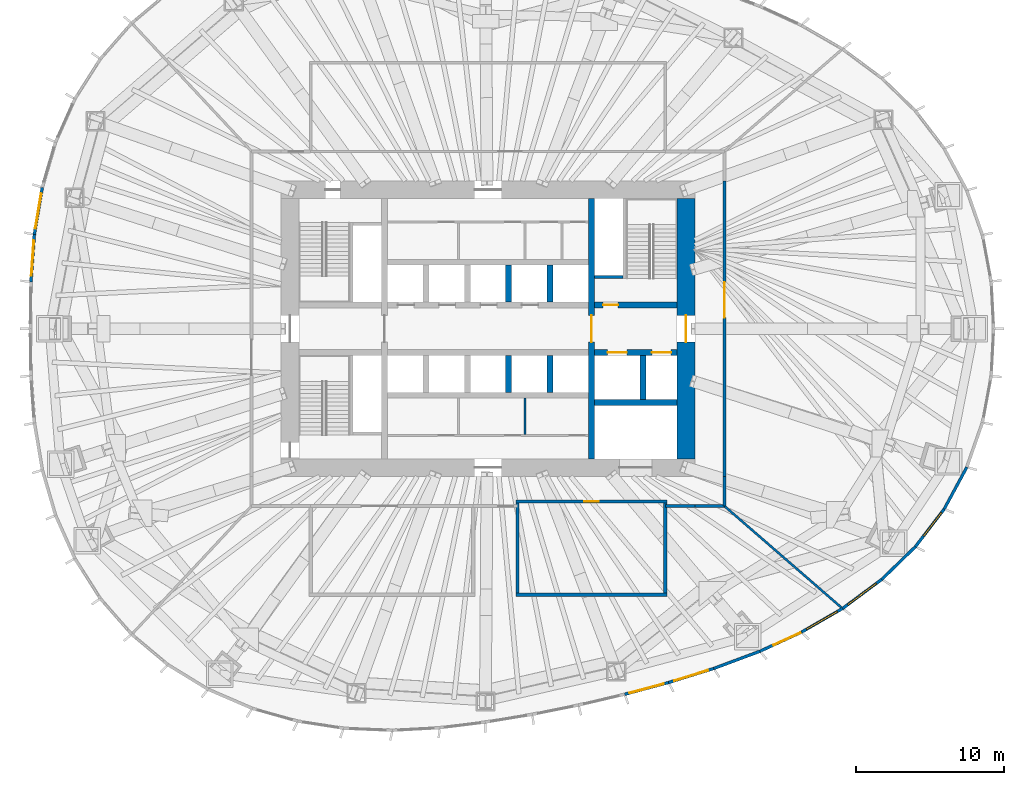
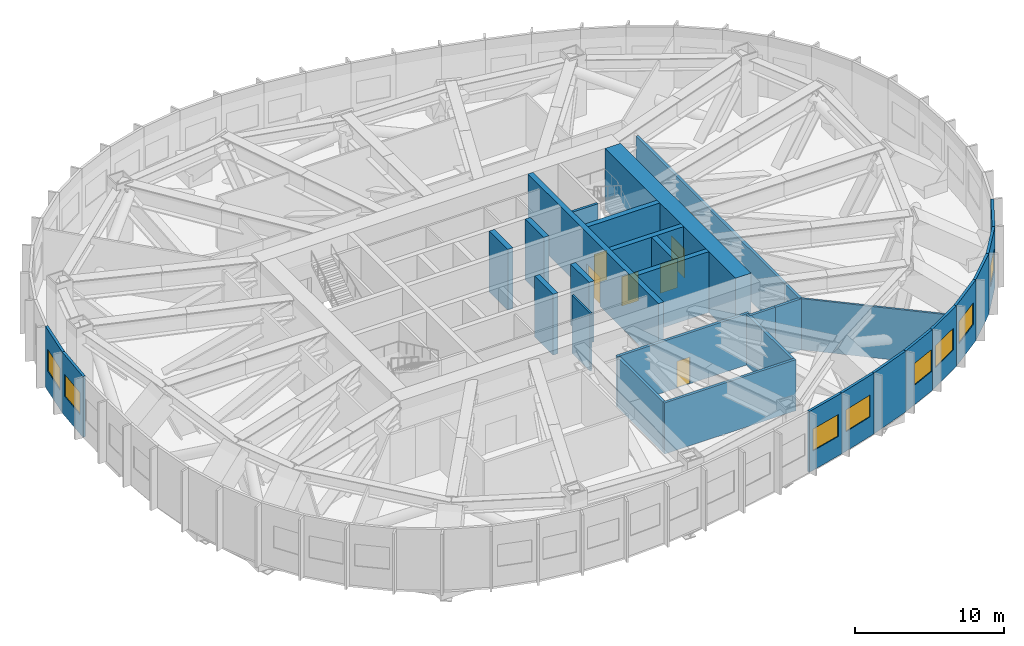
# One storey, part 8 of 12: 32 walls, 8 windows, 7 doors, 15 openings.
"""IFC4 building model written with IfcOpenShell, lengths in metres."""

import ifcopenshell
import ifcopenshell.guid

model = None  # the IFC model being written
_history = None  # IfcOwnerHistory: only IFC2X3 demands one
_inside = {}  # id of a spatial element -> (the spatial element, [elements in it])
_under = {}  # id of a project, library or spatial element -> (it, [spatial elements below it])
_declared = {}  # id of a project -> (the project, [libraries it declares])
_typed = {}  # id of a type object -> (the type object, [elements of that type])
_made_of = {}  # id of a material, layer set ... -> (it, [elements and type objects made of it])


def new_model(schema):
    """Start an empty IFC model of exactly this schema.

    Asked for "IFC4X3", IfcOpenShell would pick the latest addendum, in which some entities
    have other attributes; the version numbers below select the first issue.
    IFC2X3 requires an IfcOwnerHistory on every rooted entity: one is made here for all.
    """
    global model, _history
    if schema == "IFC4X3":
        model = ifcopenshell.file(schema_version=(4, 3, 0, 0))
    else:
        model = ifcopenshell.file(schema=schema)
    _inside.clear()
    _under.clear()
    _declared.clear()
    _typed.clear()
    _made_of.clear()
    _history = None
    if model.schema == "IFC2X3":
        org = make("IfcOrganization", Name="unknown")
        user = make(
            "IfcPersonAndOrganization",
            ThePerson=make("IfcPerson", FamilyName="unknown"),
            TheOrganization=org,
        )
        app = make(
            "IfcApplication",
            ApplicationDeveloper=org,
            Version="unknown",
            ApplicationFullName="unknown",
            ApplicationIdentifier="unknown",
        )
        _history = make(
            "IfcOwnerHistory",
            OwningUser=user,
            OwningApplication=app,
            ChangeAction="ADDED",
            CreationDate=0,
        )
    return model


def make(cls, **values):
    """One entity of the class cls with the attributes given. An attribute that is None is left unset."""
    return model.create_entity(
        cls, **{name: value for name, value in values.items() if value is not None}
    )


def rooted(cls, **values):
    """An entity with a GlobalId (a new one), such as an element, a storey or a relation."""
    return make(cls, GlobalId=ifcopenshell.guid.new(), OwnerHistory=_history, **values)


def si_unit(unit_type, name, prefix=None):
    """IfcSIUnit, for example si_unit("LENGTHUNIT", "METRE", prefix="MILLI")."""
    return make("IfcSIUnit", UnitType=unit_type, Prefix=prefix, Name=name)


def assignment(units):
    """IfcUnitAssignment: the units of a project."""
    return None if units is None else make("IfcUnitAssignment", Units=units)


def point(xyz):
    """IfcCartesianPoint."""
    return None if xyz is None else make("IfcCartesianPoint", Coordinates=xyz)


def direction(xyz):
    """IfcDirection."""
    return None if xyz is None else make("IfcDirection", DirectionRatios=xyz)


def frame(location, z_axis=None, x_axis=None):
    """IfcAxis2Placement3D, a coordinate frame: its origin and axes. An axis left out is left unset."""
    return make(
        "IfcAxis2Placement3D",
        Location=point(location),
        Axis=direction(z_axis),
        RefDirection=direction(x_axis),
    )


def frame_2d(location, x_axis=None):
    """IfcAxis2Placement2D, a coordinate frame in the plane: its origin and x axis."""
    return make(
        "IfcAxis2Placement2D", Location=point(location), RefDirection=direction(x_axis)
    )


def origin():
    """The frame at (0, 0, 0) with its axes left unset."""
    return frame((0.0, 0.0, 0.0))


def place(relative_to, where):
    """IfcLocalPlacement: puts the frame where relative to a parent placement (None: the world)."""
    return make(
        "IfcLocalPlacement", PlacementRelTo=relative_to, RelativePlacement=where
    )


def context(
    kind, dimensions, precision=None, world=None, true_north=None, identifier=None
):
    """IfcGeometricRepresentationContext, for example the 3D "Model" context."""
    return make(
        "IfcGeometricRepresentationContext",
        ContextIdentifier=identifier,
        ContextType=kind,
        CoordinateSpaceDimension=dimensions,
        Precision=precision,
        WorldCoordinateSystem=world,
        TrueNorth=true_north,
    )


def subcontext(parent, identifier, kind, view, scale=None):
    """IfcGeometricRepresentationSubContext, for example "Body" below "Model"."""
    return make(
        "IfcGeometricRepresentationSubContext",
        ContextIdentifier=identifier,
        ContextType=kind,
        ParentContext=parent,
        TargetScale=scale,
        TargetView=view,
    )


def project(units=None, contexts=None):
    """IfcProject with its units and contexts."""
    return rooted(
        "IfcProject",
        Name="project",
        RepresentationContexts=contexts,
        UnitsInContext=assignment(units),
    )


def spatial(cls, under=None, at=None, **own):
    """A site, building, storey or space (cls), placed at a placement, below another one or the project."""
    s = rooted(cls, ObjectPlacement=at, **own)
    if under is not None:
        _under.setdefault(under.id(), (under, []))[1].append(s)
    return s


def profile(cls, at=None, kind="AREA", **sizes):
    """A parametric profile (cls). Its sizes go by their IFC names, for example OverallWidth=200.0."""
    return make(cls, ProfileType=kind, Position=at, **sizes)


def rectangle(**sizes):
    """IfcRectangleProfileDef."""
    return profile("IfcRectangleProfileDef", **sizes)


def extrude(swept, where, along, depth):
    """IfcExtrudedAreaSolid: the profile swept, set in the frame where, extruded along a direction by depth."""
    return make(
        "IfcExtrudedAreaSolid",
        SweptArea=swept,
        Position=where,
        ExtrudedDirection=direction(along),
        Depth=depth,
    )


def shape(context_of_items, identifier, shape_type, items):
    """IfcShapeRepresentation: the items that make up one representation, for example the "Body"."""
    return make(
        "IfcShapeRepresentation",
        ContextOfItems=context_of_items,
        RepresentationIdentifier=identifier,
        RepresentationType=shape_type,
        Items=items,
    )


def material(Name=None, Category=None):
    """IfcMaterial."""
    return make("IfcMaterial", Name=Name, Category=Category)


def layer(
    of_material, thickness, ventilated=None, Name=None, Category=None, Priority=None
):
    """IfcMaterialLayer: one layer of a wall or slab, of a material (None: an air gap)."""
    return make(
        "IfcMaterialLayer",
        Material=of_material,
        LayerThickness=thickness,
        IsVentilated=ventilated,
        Name=Name,
        Category=Category,
        Priority=Priority,
    )


def layer_set(layers, Name=None):
    """IfcMaterialLayerSet."""
    return make("IfcMaterialLayerSet", MaterialLayers=layers, LayerSetName=Name)


def made_of(thing, what):
    """Note that an element or type object is made of a material, layer set ...; save() writes the relation."""
    if what is not None:
        _made_of.setdefault(what.id(), (what, []))[1].append(thing)
    return thing


def type_object(cls, material=None, **own):
    """A type object (cls), such as IfcWallType, which elements share."""
    return made_of(rooted(cls, **own), material)


def element(
    cls,
    number,
    at=None,
    inside=None,
    cuts=None,
    type_object=None,
    material=None,
    context=None,
    identifier="Body",
    shape_type=None,
    held_by="IfcProductDefinitionShape",
    body=None,
    shapes=None,
    **own,
):
    """One element of the class cls, such as IfcWall. Its Tag is "e" and its number.

    at: its placement. inside: the storey or other place that contains it. cuts: it is an
    opening in that element (IfcRelVoidsElement). A single representation is given by context,
    identifier, shape_type and body (its items); several are given by shapes. held_by: the class
    of the entity that holds the representations. save() writes the other relations.
    """
    e = rooted(cls, Tag="e%d" % number, ObjectPlacement=at, **own)
    if body is not None:
        shapes = [shape(context, identifier, shape_type, body)]
    if shapes is not None:
        e.Representation = make(held_by, Representations=shapes)
    if inside is not None:
        _inside.setdefault(inside.id(), (inside, []))[1].append(e)
    if cuts is not None:
        rooted(
            "IfcRelVoidsElement", RelatingBuildingElement=cuts, RelatedOpeningElement=e
        )
    if type_object is not None:
        _typed.setdefault(type_object.id(), (type_object, []))[1].append(e)
    return made_of(e, material)


def fill(opening, filler):
    """IfcRelFillsElement: the door or window that sits in an opening."""
    return rooted(
        "IfcRelFillsElement",
        RelatingOpeningElement=opening,
        RelatedBuildingElement=filler,
    )


def aggregate(whole, parts):
    """IfcRelAggregates: a whole, such as a stair, and the parts it consists of."""
    return rooted("IfcRelAggregates", RelatingObject=whole, RelatedObjects=parts)


def save(model, path):
    """Write the relations noted so far, then the file.

    IfcRelAggregates (storeys below a building ...), IfcRelContainedInSpatialStructure (elements
    in a storey), IfcRelDefinesByType, IfcRelAssociatesMaterial and IfcRelDeclares: one each for
    every whole, place, type object, material and project.
    """
    for whole, parts in _under.values():
        aggregate(whole, parts)
    for where, things in _inside.values():
        rooted(
            "IfcRelContainedInSpatialStructure",
            RelatedElements=things,
            RelatingStructure=where,
        )
    for kind, things in _typed.values():
        rooted("IfcRelDefinesByType", RelatedObjects=things, RelatingType=kind)
    for what, things in _made_of.values():
        rooted("IfcRelAssociatesMaterial", RelatedObjects=things, RelatingMaterial=what)
    for by, libraries in _declared.values():
        rooted("IfcRelDeclares", RelatingContext=by, RelatedDefinitions=libraries)
    model.write(path)


model = new_model("IFC4")

# Units and contexts
model_context = context("Model", 3, precision=1e-05, world=origin(), true_north=direction((0.0, 1.0)))
body_context = subcontext(model_context, "Body", "Model", "MODEL_VIEW")
ifc_project = project(units=[si_unit("LENGTHUNIT", "METRE"), si_unit("AREAUNIT", "SQUARE_METRE"), si_unit("VOLUMEUNIT", "CUBIC_METRE"), si_unit("PLANEANGLEUNIT", "RADIAN"), si_unit("MASSUNIT", "GRAM", prefix="KILO")], contexts=[model_context])

# Site, building, storey
site_placement = place(None, origin())
site = spatial("IfcSite", under=ifc_project, at=site_placement, CompositionType="ELEMENT")
building_placement = place(site_placement, origin())
building = spatial("IfcBuilding", under=site, at=building_placement, Name="Ghaith Harvest Tower", CompositionType="ELEMENT")
storey_placement = place(building_placement, frame((0.0, 0.0, 100.0)))
storey = spatial("IfcBuildingStorey", under=building, at=storey_placement, Name="L20", CompositionType="ELEMENT", Elevation=100.0)

# Wall
ifc_material_1 = material(Name="Concrete blockwork, 1-hour", Category="masonry")
ifc_layer_1 = layer(ifc_material_1, 0.215087890625)
ifc_layer_set_1 = layer_set([ifc_layer_1], Name="BLOCKWORK WALL 215")
wall_type_1 = type_object("IfcWallType", Name="BLOCKWORK WALL 215", PredefinedType="PARTITIONING", material=ifc_layer_set_1)
wall_1_placement = place(storey_placement, frame((16.0, -12.0, 0.0), z_axis=(0.0, 0.0, 1.0), x_axis=(0.0, 1.0, 0.0)))
element("IfcWall", 1, at=wall_1_placement, inside=storey, type_object=wall_type_1, Name="Plant room wall L20", PredefinedType="PARTITIONING", context=body_context, shape_type="SweptSolid", body=[
    extrude(rectangle(XDim=2.0, YDim=0.215087890625, at=frame_2d((1.0, 0.0))), origin(), (0.0, 0.0, 1.0), 4.199951171875),
])

# Wall, opening, door
wall_2_placement = place(storey_placement, frame((16.0, -10.0, 0.0), z_axis=(0.0, 0.0, 1.0), x_axis=(0.0, 1.0, 0.0)))
wall_2 = element("IfcWall", 2, at=wall_2_placement, inside=storey, type_object=wall_type_1, Name="Plant room wall L20", PredefinedType="PARTITIONING", context=body_context, shape_type="SweptSolid", body=[
    extrude(rectangle(XDim=20.0, YDim=0.215087890625, at=frame_2d((10.0, 0.0))), origin(), (0.0, 0.0, 1.0), 4.199951171875),
])
opening_1_placement = place(wall_2_placement, frame((10.75, 0.0, 0.0)))
opening_1 = element("IfcOpeningElement", 3, at=opening_1_placement, cuts=wall_2, Name="Opening 20-028", PredefinedType="OPENING", context=body_context, shape_type="SweptSolid", body=[
    extrude(rectangle(XDim=2.39990234375, YDim=2.39990234375, at=frame_2d((1.199951171875, 1.199951171875))), frame((0.0, 0.11767578125, 0.0), z_axis=(0.0, -1.0, 0.0), x_axis=(1.0, 0.0, 0.0)), (0.0, 0.0, 1.0), 0.235107421875),
])
ifc_material_2 = material(Name="Timber door", Category="wood")
door_type_1 = type_object("IfcDoorType", Name="D10 PLANT PAIR 2400x2400", OperationType="DOUBLE_DOOR_SINGLE_SWING", PredefinedType="DOOR", material=ifc_material_2)
door_1_placement = place(opening_1_placement, origin())
door_1 = element("IfcDoor", 4, at=door_1_placement, inside=storey, type_object=door_type_1, Name="Chilled water plant room east door", OperationType="DOUBLE_DOOR_SINGLE_SWING", OverallHeight=2.39990234375, OverallWidth=2.39990234375, PredefinedType="DOOR", context=body_context, shape_type="SweptSolid", body=[
    extrude(rectangle(XDim=2.39990234375, YDim=2.39990234375, at=frame_2d((1.199951171875, 1.199951171875))), frame((0.0, 0.02490234375, 0.0), z_axis=(0.0, -1.0, 0.0), x_axis=(1.0, 0.0, 0.0)), (0.0, 0.0, 1.0), 0.050048828125),
])
fill(opening_1, door_1)

# Walls
for number, where, z_axis, x_axis, name in (
    (5, (12.0, -12.0, 0.0), (0.0, 0.0, 1.0), (1.0, 0.0, 0.0), "Plant room wall L20"),
    (6, (14.0, -12.0, 0.0), (0.0, 0.0, 1.0), (1.0, 0.0, 0.0), "Plant room wall L20"),
):
    element("IfcWall", number, at=place(storey_placement, frame(where, z_axis=z_axis, x_axis=x_axis)), inside=storey, type_object=wall_type_1, Name=name, PredefinedType="PARTITIONING", context=body_context, shape_type="SweptSolid", body=[
        extrude(rectangle(XDim=2.0, YDim=0.215087890625, at=frame_2d((1.0, 0.0))), origin(), (0.0, 0.0, 1.0), 4.199951171875),
    ])
wall_3_placement = place(storey_placement, frame((1.892578125, -18.0, 0.0), z_axis=(0.0, 0.0, 1.0), x_axis=(1.0, 0.0, 0.0)))
element("IfcWall", 7, at=wall_3_placement, inside=storey, type_object=wall_type_1, Name="Partition L20-03", PredefinedType="PARTITIONING", context=body_context, shape_type="SweptSolid", body=[
    extrude(rectangle(XDim=10.21484375, YDim=0.215087890625, at=frame_2d((5.107421875, 0.0))), origin(), (0.0, 0.0, 1.0), 4.199951171875),
])

# Wall, opening, door
wall_4_placement = place(storey_placement, frame((1.892578125, -11.699951171875, 0.0), z_axis=(0.0, 0.0, 1.0), x_axis=(1.0, 0.0, 0.0)))
wall_4 = element("IfcWall", 8, at=wall_4_placement, inside=storey, type_object=wall_type_1, Name="Partition L20-03", PredefinedType="PARTITIONING", context=body_context, shape_type="SweptSolid", body=[
    extrude(rectangle(XDim=10.21484375, YDim=0.215087890625, at=frame_2d((5.107421875, 0.0))), origin(), (0.0, 0.0, 1.0), 4.199951171875),
])
opening_2_placement = place(wall_4_placement, frame((4.607421875, 0.0, 0.0)))
opening_2 = element("IfcOpeningElement", 9, at=opening_2_placement, cuts=wall_4, Name="Opening 20-026", PredefinedType="OPENING", context=body_context, shape_type="SweptSolid", body=[
    extrude(rectangle(XDim=1.0, YDim=2.199951171875, at=frame_2d((0.5, 1.10009765625))), frame((0.0, 0.11767578125, 0.0), z_axis=(0.0, -1.0, 0.0), x_axis=(1.0, 0.0, 0.0)), (0.0, 0.0, 1.0), 0.235107421875),
])
ifc_material_3 = material(Name="Timber door", Category="wood")
door_type_2 = type_object("IfcDoorType", Name="D1 SINGLE 1000x2200", OperationType="SINGLE_SWING_LEFT", PredefinedType="DOOR", material=ifc_material_3)
door_2_placement = place(opening_2_placement, origin())
door_2 = element("IfcDoor", 10, at=door_2_placement, inside=storey, type_object=door_type_2, Name="Electrical switch room door", OperationType="SINGLE_SWING_LEFT", OverallHeight=2.199951171875, OverallWidth=1.0, PredefinedType="DOOR", context=body_context, shape_type="SweptSolid", body=[
    extrude(rectangle(XDim=1.0, YDim=2.199951171875, at=frame_2d((0.5, 1.10009765625))), frame((0.0, 0.02490234375, 0.0), z_axis=(0.0, -1.0, 0.0), x_axis=(1.0, 0.0, 0.0)), (0.0, 0.0, 1.0), 0.050048828125),
])
fill(opening_2, door_2)

# Walls
wall_5_placement = place(storey_placement, frame((12.0, -17.892578125, 0.0), z_axis=(0.0, 0.0, 1.0), x_axis=(0.0, 1.0, 0.0)))
element("IfcWall", 11, at=wall_5_placement, inside=storey, type_object=wall_type_1, Name="Partition L20-03", PredefinedType="PARTITIONING", context=body_context, shape_type="SweptSolid", body=[
    extrude(rectangle(XDim=6.0849609375, YDim=0.215087890625, at=frame_2d((3.04248046875, 0.0))), origin(), (0.0, 0.0, 1.0), 4.199951171875),
])
ifc_material_4 = material(Name="Concrete blockwork, 1-hour", Category="masonry")
ifc_layer_2 = layer(ifc_material_4, 0.215087890625)
ifc_layer_set_2 = layer_set([ifc_layer_2], Name="BLOCKWORK WALL 215H")
wall_type_2 = type_object("IfcWallType", Name="BLOCKWORK WALL 215H", PredefinedType="PARTITIONING", material=ifc_layer_set_2)
wall_6_placement = place(storey_placement, frame((2.0, -17.892578125, 0.0), z_axis=(0.0, 0.0, 1.0), x_axis=(0.0, 1.0, 0.0)))
element("IfcWall", 12, at=wall_6_placement, inside=storey, type_object=wall_type_2, Name="Partition L20-03", PredefinedType="PARTITIONING", context=body_context, shape_type="SweptSolid", body=[
    extrude(rectangle(XDim=6.0849609375, YDim=0.215087890625, at=frame_2d((3.04248046875, 0.0))), origin(), (0.0, 0.0, 1.0), 4.14599609375),
])
ifc_material_5 = material(Name="Concrete blockwork, fair-faced", Category="masonry")
ifc_layer_3 = layer(ifc_material_5, 0.139892578125)
ifc_layer_set_3 = layer_set([ifc_layer_3], Name="CORE PARTITION 140")
wall_type_3 = type_object("IfcWallType", Name="CORE PARTITION 140", PredefinedType="PARTITIONING", material=ifc_layer_set_3)
wall_7_placement = place(storey_placement, frame((2.5, -4.699951171875, 0.0), z_axis=(0.0, 0.0, 1.0), x_axis=(0.0, -1.0, 0.0)))
element("IfcWall", 13, at=wall_7_placement, inside=storey, type_object=wall_type_3, Name="Core partition L20", PredefinedType="PARTITIONING", context=body_context, shape_type="SweptSolid", body=[
    extrude(rectangle(XDim=2.4599609375, YDim=0.139892578125, at=frame_2d((1.22998046875, 0.0))), origin(), (0.0, 0.0, 1.0), 4.75),
])

# Wall, opening, door
ifc_material_6 = material(Name="Concrete C70/85", Category="concrete")
ifc_layer_4 = layer(ifc_material_6, 1.199951171875)
ifc_layer_set_4 = layer_set([ifc_layer_4], Name="CORE WALL CW1200")
wall_type_4 = type_object("IfcWallType", Name="CORE WALL CW1200", PredefinedType="SHEAR", material=ifc_layer_set_4)
wall_8_placement = place(storey_placement, frame((13.39990234375, -8.800048828125, 0.0), z_axis=(0.0, 0.0, 1.0), x_axis=(0.0, 1.0, 0.0)))
wall_8 = element("IfcWall", 14, at=wall_8_placement, inside=storey, type_object=wall_type_4, Name="Core wall E L20", PredefinedType="SHEAR", context=body_context, shape_type="SweptSolid", body=[
    extrude(rectangle(XDim=17.60009765625, YDim=1.199951171875, at=frame_2d((8.800048828125, 0.0))), origin(), (0.0, 0.0, 1.0), 5.0),
])
opening_3_placement = place(wall_8_placement, frame((7.89990234375, 0.0, 0.0)))
opening_3 = element("IfcOpeningElement", 15, at=opening_3_placement, cuts=wall_8, Name="Opening 20-002", PredefinedType="OPENING", context=body_context, shape_type="SweptSolid", body=[
    extrude(rectangle(XDim=1.800048828125, YDim=2.39990234375, at=frame_2d((0.89990234375, 1.199951171875))), frame((0.0, 0.60986328125, 0.0), z_axis=(0.0, -1.0, 0.0), x_axis=(1.0, 0.0, 0.0)), (0.0, 0.0, 1.0), 1.219970703125),
])
ifc_material_7 = material(Name="Steel fire door", Category="steel")
door_type_3 = type_object("IfcDoorType", Name="D4 FD90 PAIR 1800x2400", OperationType="DOUBLE_DOOR_SINGLE_SWING", PredefinedType="DOOR", material=ifc_material_7)
door_3_placement = place(opening_3_placement, origin())
door_3 = element("IfcDoor", 16, at=door_3_placement, inside=storey, type_object=door_type_3, Name="Fire-fighting lobby doors", OperationType="DOUBLE_DOOR_SINGLE_SWING", OverallHeight=2.39990234375, OverallWidth=1.800048828125, PredefinedType="DOOR", context=body_context, shape_type="SweptSolid", body=[
    extrude(rectangle(XDim=1.800048828125, YDim=2.39990234375, at=frame_2d((0.89990234375, 1.199951171875))), frame((0.0, 0.02490234375, 0.0), z_axis=(0.0, -1.0, 0.0), x_axis=(1.0, 0.0, 0.0)), (0.0, 0.0, 1.0), 0.050048828125),
])
fill(opening_3, door_3)

# Wall
ifc_material_8 = material(Name="Gypsum board on steel studs", Category="steel")
ifc_layer_5 = layer(ifc_material_8, 0.14990234375)
ifc_layer_set_5 = layer_set([ifc_layer_5], Name="PARTITION 150")
wall_type_5 = type_object("IfcWallType", Name="PARTITION 150", PredefinedType="PARTITIONING", material=ifc_layer_set_5)
wall_9_placement = place(storey_placement, frame((16.01513671875, -12.01318359375, 0.0), z_axis=(0.0, 0.0, 1.0), x_axis=(0.755438460481, -0.655219606259, 0.0)))
element("IfcWall", 17, at=wall_9_placement, inside=storey, type_object=wall_type_5, Name="Partition L20 zone division", PredefinedType="PARTITIONING", context=body_context, shape_type="SweptSolid", body=[
    extrude(rectangle(XDim=10.4482421875, YDim=0.14990234375, at=frame_2d((5.22412109375, 0.0))), origin(), (0.0, 0.0, 1.0), 4.199951171875),
])

# Wall, opening, window
ifc_material_9 = material(Name="Steel, black insulated metal cladding panel", Category="steel")
ifc_layer_6 = layer(ifc_material_9, 0.199951171875)
ifc_layer_set_6 = layer_set([ifc_layer_6], Name="PLANT ENCLOSURE WALL 200")
wall_type_6 = type_object("IfcWallType", Name="PLANT ENCLOSURE WALL 200", PredefinedType="SOLIDWALL", material=ifc_layer_set_6)
wall_10_placement = place(storey_placement, frame((-30.169189453125, 9.561279296875, 0.0), z_axis=(0.0, 0.0, 1.0), x_axis=(-0.165524941824, -0.986205604138, 0.0)))
wall_10 = element("IfcWall", 18, at=wall_10_placement, inside=storey, type_object=wall_type_6, Name="Plant enclosure wall 10.1 L20", PredefinedType="SOLIDWALL", context=body_context, shape_type="SweptSolid", body=[
    extrude(rectangle(XDim=3.234619140625, YDim=0.199951171875, at=frame_2d((1.6171875, 0.0))), origin(), (0.0, 0.0, 1.0), 5.0),
])
opening_4_placement = place(wall_10_placement, frame((0.417236328125, 0.0, 1.60009765625)))
opening_4 = element("IfcOpeningElement", 19, at=opening_4_placement, cuts=wall_10, Name="Opening LV1", PredefinedType="OPENING", context=body_context, shape_type="SweptSolid", body=[
    extrude(rectangle(XDim=2.39990234375, YDim=1.800048828125, at=frame_2d((1.199951171875, 0.89990234375))), frame((0.0, 0.10986328125, 0.0), z_axis=(0.0, -1.0, 0.0), x_axis=(1.0, 0.0, 0.0)), (0.0, 0.0, 1.0), 0.219970703125),
])
ifc_material_10 = material(Name="Aluminium louvre, black", Category="aluminium")
window_type_1 = type_object("IfcWindowType", Name="LOUVRE L1 2400x1800", PartitioningType="SINGLE_PANEL", PredefinedType="WINDOW", material=ifc_material_10)
window_1_placement = place(opening_4_placement, origin())
window_1 = element("IfcWindow", 20, at=window_1_placement, inside=storey, type_object=window_type_1, Name="Plant louvre 10.1 L20", OverallHeight=1.800048828125, OverallWidth=2.39990234375, PartitioningType="SINGLE_PANEL", PredefinedType="WINDOW", context=body_context, shape_type="SweptSolid", body=[
    extrude(rectangle(XDim=2.39990234375, YDim=1.800048828125, at=frame_2d((1.199951171875, 0.89990234375))), frame((0.0, 0.030029296875, 0.0), z_axis=(0.0, -1.0, 0.0), x_axis=(1.0, 0.0, 0.0)), (0.0, 0.0, 1.0), 0.06005859375),
])
fill(opening_4, window_1)

wall_11_placement = place(storey_placement, frame((-30.70458984375, 6.371337890625, 0.0), z_axis=(0.0, 0.0, 1.0), x_axis=(-0.072395112293, -0.997376031252, 0.0)))
wall_11 = element("IfcWall", 21, at=wall_11_placement, inside=storey, type_object=wall_type_6, Name="Plant enclosure wall 10.2 L20", PredefinedType="SOLIDWALL", context=body_context, shape_type="SweptSolid", body=[
    extrude(rectangle(XDim=3.20361328125, YDim=0.199951171875, at=frame_2d((1.601806640625, 0.0))), origin(), (0.0, 0.0, 1.0), 5.0),
])
opening_5_placement = place(wall_11_placement, frame((0.40185546875, 0.0, 1.60009765625)))
opening_5 = element("IfcOpeningElement", 22, at=opening_5_placement, cuts=wall_11, Name="Opening LV1", PredefinedType="OPENING", context=body_context, shape_type="SweptSolid", body=[
    extrude(rectangle(XDim=2.39990234375, YDim=1.800048828125, at=frame_2d((1.199951171875, 0.89990234375))), frame((0.0, 0.10986328125, 0.0), z_axis=(0.0, -1.0, 0.0), x_axis=(1.0, 0.0, 0.0)), (0.0, 0.0, 1.0), 0.219970703125),
])
window_2_placement = place(opening_5_placement, origin())
window_2 = element("IfcWindow", 23, at=window_2_placement, inside=storey, type_object=window_type_1, Name="Plant louvre 10.2 L20", OverallHeight=1.800048828125, OverallWidth=2.39990234375, PartitioningType="SINGLE_PANEL", PredefinedType="WINDOW", context=body_context, shape_type="SweptSolid", body=[
    extrude(rectangle(XDim=2.39990234375, YDim=1.800048828125, at=frame_2d((1.199951171875, 0.89990234375))), frame((0.0, 0.030029296875, 0.0), z_axis=(0.0, -1.0, 0.0), x_axis=(1.0, 0.0, 0.0)), (0.0, 0.0, 1.0), 0.06005859375),
])
fill(opening_5, window_2)

wall_12_placement = place(storey_placement, frame((9.25048828125, -24.744384765625, 0.0), z_axis=(0.0, 0.0, 1.0), x_axis=(0.965880088888, 0.25898967912, 0.0)))
wall_12 = element("IfcWall", 24, at=wall_12_placement, inside=storey, type_object=wall_type_6, Name="Plant enclosure wall 17.1 L20", PredefinedType="SOLIDWALL", context=body_context, shape_type="SweptSolid", body=[
    extrude(rectangle(XDim=3.07958984375, YDim=0.199951171875, at=frame_2d((1.539794921875, 0.0))), origin(), (0.0, 0.0, 1.0), 5.0),
])
opening_6_placement = place(wall_12_placement, frame((0.340087890625, 0.0, 1.60009765625)))
opening_6 = element("IfcOpeningElement", 25, at=opening_6_placement, cuts=wall_12, Name="Opening LV1", PredefinedType="OPENING", context=body_context, shape_type="SweptSolid", body=[
    extrude(rectangle(XDim=2.39990234375, YDim=1.800048828125, at=frame_2d((1.199951171875, 0.89990234375))), frame((0.0, 0.10986328125, 0.0), z_axis=(0.0, -1.0, 0.0), x_axis=(1.0, 0.0, 0.0)), (0.0, 0.0, 1.0), 0.219970703125),
])
window_3_placement = place(opening_6_placement, origin())
window_3 = element("IfcWindow", 26, at=window_3_placement, inside=storey, type_object=window_type_1, Name="Plant louvre 17.1 L20", OverallHeight=1.800048828125, OverallWidth=2.39990234375, PartitioningType="SINGLE_PANEL", PredefinedType="WINDOW", context=body_context, shape_type="SweptSolid", body=[
    extrude(rectangle(XDim=2.39990234375, YDim=1.800048828125, at=frame_2d((1.199951171875, 0.89990234375))), frame((0.0, 0.030029296875, 0.0), z_axis=(0.0, -1.0, 0.0), x_axis=(1.0, 0.0, 0.0)), (0.0, 0.0, 1.0), 0.06005859375),
])
fill(opening_6, window_3)

wall_13_placement = place(storey_placement, frame((12.22509765625, -23.94677734375, 0.0), z_axis=(0.0, 0.0, 1.0), x_axis=(0.955035787584, 0.296490546954, 0.0)))
wall_13 = element("IfcWall", 27, at=wall_13_placement, inside=storey, type_object=wall_type_6, Name="Plant enclosure wall 17.2 L20", PredefinedType="SOLIDWALL", context=body_context, shape_type="SweptSolid", body=[
    extrude(rectangle(XDim=3.19482421875, YDim=0.199951171875, at=frame_2d((1.597412109375, 0.0))), origin(), (0.0, 0.0, 1.0), 5.0),
])
opening_7_placement = place(wall_13_placement, frame((0.3974609375, 0.0, 1.60009765625)))
opening_7 = element("IfcOpeningElement", 28, at=opening_7_placement, cuts=wall_13, Name="Opening LV1", PredefinedType="OPENING", context=body_context, shape_type="SweptSolid", body=[
    extrude(rectangle(XDim=2.39990234375, YDim=1.800048828125, at=frame_2d((1.199951171875, 0.89990234375))), frame((0.0, 0.10986328125, 0.0), z_axis=(0.0, -1.0, 0.0), x_axis=(1.0, 0.0, 0.0)), (0.0, 0.0, 1.0), 0.219970703125),
])
window_4_placement = place(opening_7_placement, origin())
window_4 = element("IfcWindow", 29, at=window_4_placement, inside=storey, type_object=window_type_1, Name="Plant louvre 17.2 L20", OverallHeight=1.800048828125, OverallWidth=2.39990234375, PartitioningType="SINGLE_PANEL", PredefinedType="WINDOW", context=body_context, shape_type="SweptSolid", body=[
    extrude(rectangle(XDim=2.39990234375, YDim=1.800048828125, at=frame_2d((1.199951171875, 0.89990234375))), frame((0.0, 0.030029296875, 0.0), z_axis=(0.0, -1.0, 0.0), x_axis=(1.0, 0.0, 0.0)), (0.0, 0.0, 1.0), 0.06005859375),
])
fill(opening_7, window_4)

# Wall
wall_14_placement = place(storey_placement, frame((15.2763671875, -22.99951171875, 0.0), z_axis=(0.0, 0.0, 1.0), x_axis=(0.936993572149, 0.349346598312, 0.0)))
element("IfcWall", 30, at=wall_14_placement, inside=storey, type_object=wall_type_6, Name="Plant enclosure wall 17.3 L20", PredefinedType="SOLIDWALL", context=body_context, shape_type="SweptSolid", body=[
    extrude(rectangle(XDim=3.343994140625, YDim=0.199951171875, at=frame_2d((1.671875, 0.0))), origin(), (0.0, 0.0, 1.0), 5.0),
])

# Wall, opening, window
wall_15_placement = place(storey_placement, frame((18.40966796875, -21.831298828125, 0.0), z_axis=(0.0, 0.0, 1.0), x_axis=(0.908621015228, 0.417621659743, 0.0)))
wall_15 = element("IfcWall", 31, at=wall_15_placement, inside=storey, type_object=wall_type_6, Name="Plant enclosure wall 18.1 L20", PredefinedType="SOLIDWALL", context=body_context, shape_type="SweptSolid", body=[
    extrude(rectangle(XDim=3.09423828125, YDim=0.199951171875, at=frame_2d((1.547119140625, 0.0))), origin(), (0.0, 0.0, 1.0), 5.0),
])
opening_8_placement = place(wall_15_placement, frame((1.004150390625, 0.0, 1.60009765625)))
opening_8 = element("IfcOpeningElement", 32, at=opening_8_placement, cuts=wall_15, Name="Opening LV2", PredefinedType="OPENING", context=body_context, shape_type="SweptSolid", body=[
    extrude(rectangle(XDim=2.0, YDim=1.800048828125, at=frame_2d((1.0, 0.89990234375))), frame((0.0, 0.10986328125, 0.0), z_axis=(0.0, -1.0, 0.0), x_axis=(1.0, 0.0, 0.0)), (0.0, 0.0, 1.0), 0.219970703125),
])
ifc_material_11 = material(Name="Aluminium louvre, black", Category="aluminium")
window_type_2 = type_object("IfcWindowType", Name="LOUVRE L2 2000x1800", PartitioningType="SINGLE_PANEL", PredefinedType="WINDOW", material=ifc_material_11)
window_5_placement = place(opening_8_placement, origin())
window_5 = element("IfcWindow", 33, at=window_5_placement, inside=storey, type_object=window_type_2, Name="Plant louvre 18.1 L20", OverallHeight=1.800048828125, OverallWidth=2.0, PartitioningType="SINGLE_PANEL", PredefinedType="WINDOW", context=body_context, shape_type="SweptSolid", body=[
    extrude(rectangle(XDim=2.0, YDim=1.800048828125, at=frame_2d((1.0, 0.89990234375))), frame((0.0, 0.030029296875, 0.0), z_axis=(0.0, -1.0, 0.0), x_axis=(1.0, 0.0, 0.0)), (0.0, 0.0, 1.0), 0.06005859375),
])
fill(opening_8, window_5)

wall_16_placement = place(storey_placement, frame((21.22119140625, -20.5390625, 0.0), z_axis=(0.0, 0.0, 1.0), x_axis=(0.866247604337, 0.499614939709, 0.0)))
wall_16 = element("IfcWall", 34, at=wall_16_placement, inside=storey, type_object=wall_type_6, Name="Plant enclosure wall 18.2 L20", PredefinedType="SOLIDWALL", context=body_context, shape_type="SweptSolid", body=[
    extrude(rectangle(XDim=3.2109375, YDim=0.199951171875, at=frame_2d((1.60546875, 0.0))), origin(), (0.0, 0.0, 1.0), 5.0),
])
opening_9_placement = place(wall_16_placement, frame((0.405517578125, 0.0, 1.60009765625)))
opening_9 = element("IfcOpeningElement", 35, at=opening_9_placement, cuts=wall_16, Name="Opening LV1", PredefinedType="OPENING", context=body_context, shape_type="SweptSolid", body=[
    extrude(rectangle(XDim=2.39990234375, YDim=1.800048828125, at=frame_2d((1.199951171875, 0.89990234375))), frame((0.0, 0.10986328125, 0.0), z_axis=(0.0, -1.0, 0.0), x_axis=(1.0, 0.0, 0.0)), (0.0, 0.0, 1.0), 0.219970703125),
])
window_6_placement = place(opening_9_placement, origin())
window_6 = element("IfcWindow", 36, at=window_6_placement, inside=storey, type_object=window_type_1, Name="Plant louvre 18.2 L20", OverallHeight=1.800048828125, OverallWidth=2.39990234375, PartitioningType="SINGLE_PANEL", PredefinedType="WINDOW", context=body_context, shape_type="SweptSolid", body=[
    extrude(rectangle(XDim=2.39990234375, YDim=1.800048828125, at=frame_2d((1.199951171875, 0.89990234375))), frame((0.0, 0.030029296875, 0.0), z_axis=(0.0, -1.0, 0.0), x_axis=(1.0, 0.0, 0.0)), (0.0, 0.0, 1.0), 0.06005859375),
])
fill(opening_9, window_6)

wall_17_placement = place(storey_placement, frame((24.002685546875, -18.934814453125, 0.0), z_axis=(0.0, 0.0, 1.0), x_axis=(0.803003388377, 0.595974461076, 0.0)))
wall_17 = element("IfcWall", 37, at=wall_17_placement, inside=storey, type_object=wall_type_6, Name="Plant enclosure wall 18.3 L20", PredefinedType="SOLIDWALL", context=body_context, shape_type="SweptSolid", body=[
    extrude(rectangle(XDim=3.305419921875, YDim=0.199951171875, at=frame_2d((1.65283203125, 0.0))), origin(), (0.0, 0.0, 1.0), 5.0),
])
opening_10_placement = place(wall_17_placement, frame((0.452880859375, 0.0, 1.60009765625)))
opening_10 = element("IfcOpeningElement", 38, at=opening_10_placement, cuts=wall_17, Name="Opening LV1", PredefinedType="OPENING", context=body_context, shape_type="SweptSolid", body=[
    extrude(rectangle(XDim=2.39990234375, YDim=1.800048828125, at=frame_2d((1.199951171875, 0.89990234375))), frame((0.0, 0.10986328125, 0.0), z_axis=(0.0, -1.0, 0.0), x_axis=(1.0, 0.0, 0.0)), (0.0, 0.0, 1.0), 0.219970703125),
])
window_7_placement = place(opening_10_placement, origin())
window_7 = element("IfcWindow", 39, at=window_7_placement, inside=storey, type_object=window_type_1, Name="Plant louvre 18.3 L20", OverallHeight=1.800048828125, OverallWidth=2.39990234375, PartitioningType="SINGLE_PANEL", PredefinedType="WINDOW", context=body_context, shape_type="SweptSolid", body=[
    extrude(rectangle(XDim=2.39990234375, YDim=1.800048828125, at=frame_2d((1.199951171875, 0.89990234375))), frame((0.0, 0.030029296875, 0.0), z_axis=(0.0, -1.0, 0.0), x_axis=(1.0, 0.0, 0.0)), (0.0, 0.0, 1.0), 0.06005859375),
])
fill(opening_10, window_7)

# Wall
wall_18_placement = place(storey_placement, frame((26.656982421875, -16.96484375, 0.0), z_axis=(0.0, 0.0, 1.0), x_axis=(0.716782107905, 0.697297217682, 0.0)))
element("IfcWall", 40, at=wall_18_placement, inside=storey, type_object=wall_type_6, Name="Plant enclosure wall 19.1 L20", PredefinedType="SOLIDWALL", context=body_context, shape_type="SweptSolid", body=[
    extrude(rectangle(XDim=3.169921875, YDim=0.199951171875, at=frame_2d((1.5849609375, 0.0))), origin(), (0.0, 0.0, 1.0), 5.0),
])

# Wall, opening, window
wall_19_placement = place(storey_placement, frame((28.92919921875, -14.75439453125, 0.0), z_axis=(0.0, 0.0, 1.0), x_axis=(0.607718510509, 0.794152511791, 0.0)))
wall_19 = element("IfcWall", 41, at=wall_19_placement, inside=storey, type_object=wall_type_6, Name="Plant enclosure wall 19.2 L20", PredefinedType="SOLIDWALL", context=body_context, shape_type="SweptSolid", body=[
    extrude(rectangle(XDim=3.20703125, YDim=0.199951171875, at=frame_2d((1.603515625, 0.0))), origin(), (0.0, 0.0, 1.0), 5.0),
])
opening_11_placement = place(wall_19_placement, frame((0.9169921875, 0.0, 1.60009765625)))
opening_11 = element("IfcOpeningElement", 42, at=opening_11_placement, cuts=wall_19, Name="Opening LV2", PredefinedType="OPENING", context=body_context, shape_type="SweptSolid", body=[
    extrude(rectangle(XDim=2.0, YDim=1.800048828125, at=frame_2d((1.0, 0.89990234375))), frame((0.0, 0.10986328125, 0.0), z_axis=(0.0, -1.0, 0.0), x_axis=(1.0, 0.0, 0.0)), (0.0, 0.0, 1.0), 0.219970703125),
])
window_8_placement = place(opening_11_placement, origin())
window_8 = element("IfcWindow", 43, at=window_8_placement, inside=storey, type_object=window_type_2, Name="Plant louvre 19.2 L20", OverallHeight=1.800048828125, OverallWidth=2.0, PartitioningType="SINGLE_PANEL", PredefinedType="WINDOW", context=body_context, shape_type="SweptSolid", body=[
    extrude(rectangle(XDim=2.0, YDim=1.800048828125, at=frame_2d((1.0, 0.89990234375))), frame((0.0, 0.030029296875, 0.0), z_axis=(0.0, -1.0, 0.0), x_axis=(1.0, 0.0, 0.0)), (0.0, 0.0, 1.0), 0.06005859375),
])
fill(opening_11, window_8)

# Wall
wall_20_placement = place(storey_placement, frame((30.878173828125, -12.20751953125, 0.0), z_axis=(0.0, 0.0, 1.0), x_axis=(0.475929838949, 0.879483250777, 0.0)))
element("IfcWall", 44, at=wall_20_placement, inside=storey, type_object=wall_type_6, Name="Plant enclosure wall 19.3 L20", PredefinedType="SOLIDWALL", context=body_context, shape_type="SweptSolid", body=[
    extrude(rectangle(XDim=3.228271484375, YDim=0.199951171875, at=frame_2d((1.6142578125, 0.0))), origin(), (0.0, 0.0, 1.0), 5.0),
])

# Wall, opening, door
ifc_material_12 = material(Name="Concrete C70/85", Category="concrete")
ifc_layer_7 = layer(ifc_material_12, 0.39990234375)
ifc_layer_set_7 = layer_set([ifc_layer_7], Name="SHAFT WALL 400")
wall_type_7 = type_object("IfcWallType", Name="SHAFT WALL 400", PredefinedType="SHEAR", material=ifc_layer_set_7)
wall_21_placement = place(storey_placement, frame((7.0, -8.800048828125, 0.0), z_axis=(0.0, 0.0, 1.0), x_axis=(0.0, 1.0, 0.0)))
wall_21 = element("IfcWall", 45, at=wall_21_placement, inside=storey, type_object=wall_type_7, Name="Shaft wall W7E L20", PredefinedType="SHEAR", context=body_context, shape_type="SweptSolid", body=[
    extrude(rectangle(XDim=17.60009765625, YDim=0.39990234375, at=frame_2d((8.800048828125, 0.0))), origin(), (0.0, 0.0, 1.0), 5.0),
])
opening_12_placement = place(wall_21_placement, frame((7.89990234375, 0.0, 0.0)))
opening_12 = element("IfcOpeningElement", 46, at=opening_12_placement, cuts=wall_21, Name="Opening 20-004", PredefinedType="OPENING", context=body_context, shape_type="SweptSolid", body=[
    extrude(rectangle(XDim=1.800048828125, YDim=2.39990234375, at=frame_2d((0.89990234375, 1.199951171875))), frame((0.0, 0.2099609375, 0.0), z_axis=(0.0, -1.0, 0.0), x_axis=(1.0, 0.0, 0.0)), (0.0, 0.0, 1.0), 0.419921875),
])
door_4_placement = place(opening_12_placement, origin())
door_4 = element("IfcDoor", 47, at=door_4_placement, inside=storey, type_object=door_type_3, Name="Lift lobby doors, east", OperationType="DOUBLE_DOOR_SINGLE_SWING", OverallHeight=2.39990234375, OverallWidth=1.800048828125, PredefinedType="DOOR", context=body_context, shape_type="SweptSolid", body=[
    extrude(rectangle(XDim=1.800048828125, YDim=2.39990234375, at=frame_2d((0.89990234375, 1.199951171875))), frame((0.0, 0.02490234375, 0.0), z_axis=(0.0, -1.0, 0.0), x_axis=(1.0, 0.0, 0.0)), (0.0, 0.0, 1.0), 0.050048828125),
])
fill(opening_12, door_4)

wall_22_placement = place(storey_placement, frame((7.199951171875, 1.60009765625, 0.0), z_axis=(0.0, 0.0, 1.0), x_axis=(1.0, 0.0, 0.0)))
wall_22 = element("IfcWall", 48, at=wall_22_placement, inside=storey, type_object=wall_type_7, Name="Shaft wall EN L20", PredefinedType="SHEAR", context=body_context, shape_type="SweptSolid", body=[
    extrude(rectangle(XDim=5.60009765625, YDim=0.39990234375, at=frame_2d((2.800048828125, 0.0))), origin(), (0.0, 0.0, 1.0), 5.0),
])
opening_13_placement = place(wall_22_placement, frame((0.60009765625, 0.0, 0.0)))
opening_13 = element("IfcOpeningElement", 49, at=opening_13_placement, cuts=wall_22, Name="Opening 20-007", PredefinedType="OPENING", context=body_context, shape_type="SweptSolid", body=[
    extrude(rectangle(XDim=1.0, YDim=2.39990234375, at=frame_2d((0.5, 1.199951171875))), frame((0.0, 0.2099609375, 0.0), z_axis=(0.0, -1.0, 0.0), x_axis=(1.0, 0.0, 0.0)), (0.0, 0.0, 1.0), 0.419921875),
])
ifc_material_13 = material(Name="Steel fire door", Category="steel")
door_type_4 = type_object("IfcDoorType", Name="D3 FD90 1000x2400", OperationType="SINGLE_SWING_LEFT", PredefinedType="DOOR", material=ifc_material_13)
door_5_placement = place(opening_13_placement, origin())
door_5 = element("IfcDoor", 50, at=door_5_placement, inside=storey, type_object=door_type_4, Name="Stair ST2 door", OperationType="SINGLE_SWING_LEFT", OverallHeight=2.39990234375, OverallWidth=1.0, PredefinedType="DOOR", context=body_context, shape_type="SweptSolid", body=[
    extrude(rectangle(XDim=1.0, YDim=2.39990234375, at=frame_2d((0.5, 1.199951171875))), frame((0.0, 0.02490234375, 0.0), z_axis=(0.0, -1.0, 0.0), x_axis=(1.0, 0.0, 0.0)), (0.0, 0.0, 1.0), 0.050048828125),
])
fill(opening_13, door_5)

# Wall, openings, doors
wall_23_placement = place(storey_placement, frame((7.199951171875, -1.60009765625, 0.0), z_axis=(0.0, 0.0, 1.0), x_axis=(1.0, 0.0, 0.0)))
wall_23 = element("IfcWall", 51, at=wall_23_placement, inside=storey, type_object=wall_type_7, Name="Shaft wall ES L20", PredefinedType="SHEAR", context=body_context, shape_type="SweptSolid", body=[
    extrude(rectangle(XDim=5.60009765625, YDim=0.39990234375, at=frame_2d((2.800048828125, 0.0))), origin(), (0.0, 0.0, 1.0), 5.0),
])
opening_14_placement = place(wall_23_placement, frame((0.89990234375, 0.0, 0.0)))
opening_14 = element("IfcOpeningElement", 52, at=opening_14_placement, cuts=wall_23, Name="Opening 20-021", PredefinedType="OPENING", context=body_context, shape_type="SweptSolid", body=[
    extrude(rectangle(XDim=1.300048828125, YDim=2.39990234375, at=frame_2d((0.64990234375, 1.199951171875))), frame((0.0, 0.2099609375, 0.0), z_axis=(0.0, -1.0, 0.0), x_axis=(1.0, 0.0, 0.0)), (0.0, 0.0, 1.0), 0.419921875),
])
opening_15_placement = place(wall_23_placement, frame((3.89990234375, 0.0, 0.0)))
opening_15 = element("IfcOpeningElement", 53, at=opening_15_placement, cuts=wall_23, Name="Opening 20-022", PredefinedType="OPENING", context=body_context, shape_type="SweptSolid", body=[
    extrude(rectangle(XDim=1.300048828125, YDim=2.39990234375, at=frame_2d((0.64990234375, 1.199951171875))), frame((0.0, 0.2099609375, 0.0), z_axis=(0.0, -1.0, 0.0), x_axis=(1.0, 0.0, 0.0)), (0.0, 0.0, 1.0), 0.419921875),
])
ifc_material_14 = material(Name="Steel fire door", Category="steel")
door_type_5 = type_object("IfcDoorType", Name="LD2 LANDING 1300x2400", OperationType="DOUBLE_DOOR_SLIDING", PredefinedType="DOOR", material=ifc_material_14)
door_6_placement = place(opening_14_placement, origin())
door_6 = element("IfcDoor", 54, at=door_6_placement, inside=storey, type_object=door_type_5, Name="Landing door, fire service lift FL1", OperationType="DOUBLE_DOOR_SLIDING", OverallHeight=2.39990234375, OverallWidth=1.300048828125, PredefinedType="DOOR", context=body_context, shape_type="SweptSolid", body=[
    extrude(rectangle(XDim=1.300048828125, YDim=2.39990234375, at=frame_2d((0.64990234375, 1.199951171875))), frame((0.0, 0.02490234375, 0.0), z_axis=(0.0, -1.0, 0.0), x_axis=(1.0, 0.0, 0.0)), (0.0, 0.0, 1.0), 0.050048828125),
])
fill(opening_14, door_6)
door_7_placement = place(opening_15_placement, origin())
door_7 = element("IfcDoor", 55, at=door_7_placement, inside=storey, type_object=door_type_5, Name="Landing door, fire service lift FL2", OperationType="DOUBLE_DOOR_SLIDING", OverallHeight=2.39990234375, OverallWidth=1.300048828125, PredefinedType="DOOR", context=body_context, shape_type="SweptSolid", body=[
    extrude(rectangle(XDim=1.300048828125, YDim=2.39990234375, at=frame_2d((0.64990234375, 1.199951171875))), frame((0.0, 0.02490234375, 0.0), z_axis=(0.0, -1.0, 0.0), x_axis=(1.0, 0.0, 0.0)), (0.0, 0.0, 1.0), 0.050048828125),
])
fill(opening_15, door_7)

# Walls
wall_24_placement = place(storey_placement, frame((10.5, -4.800048828125, 0.0), z_axis=(0.0, 0.0, 1.0), x_axis=(0.0, 1.0, 0.0)))
element("IfcWall", 56, at=wall_24_placement, inside=storey, type_object=wall_type_7, Name="Shaft wall FLD L20", PredefinedType="SHEAR", context=body_context, shape_type="SweptSolid", body=[
    extrude(rectangle(XDim=3.0, YDim=0.39990234375, at=frame_2d((1.5, 0.0))), origin(), (0.0, 0.0, 1.0), 5.0),
])
wall_25_placement = place(storey_placement, frame((7.199951171875, -5.0, 0.0), z_axis=(0.0, 0.0, 1.0), x_axis=(1.0, 0.0, 0.0)))
element("IfcWall", 57, at=wall_25_placement, inside=storey, type_object=wall_type_7, Name="Shaft wall FLB L20", PredefinedType="SHEAR", context=body_context, shape_type="SweptSolid", body=[
    extrude(rectangle(XDim=5.60009765625, YDim=0.39990234375, at=frame_2d((2.800048828125, 0.0))), origin(), (0.0, 0.0, 1.0), 5.0),
])
for number, where, z_axis, x_axis, name in (
    (58, (1.39990234375, 1.800048828125, 0.0), (0.0, 0.0, 1.0), (0.0, 1.0, 0.0), "Shaft wall DN3 L20"),
    (59, (1.39990234375, -4.300048828125, 0.0), (0.0, 0.0, 1.0), (0.0, 1.0, 0.0), "Shaft wall DS3 L20"),
    (60, (4.199951171875, 1.800048828125, 0.0), (0.0, 0.0, 1.0), (0.0, 1.0, 0.0), "Shaft wall DN4 L20"),
    (61, (4.199951171875, -4.300048828125, 0.0), (0.0, 0.0, 1.0), (0.0, 1.0, 0.0), "Shaft wall DS4 L20"),
):
    element("IfcWall", number, at=place(storey_placement, frame(where, z_axis=z_axis, x_axis=x_axis)), inside=storey, type_object=wall_type_7, Name=name, PredefinedType="SHEAR", context=body_context, shape_type="SweptSolid", body=[
        extrude(rectangle(XDim=2.5, YDim=0.39990234375, at=frame_2d((1.25, 0.0))), origin(), (0.0, 0.0, 1.0), 5.0),
    ])
ifc_material_15 = material(Name="Concrete C40/50", Category="concrete")
ifc_layer_8 = layer(ifc_material_15, 0.199951171875)
ifc_layer_set_8 = layer_set([ifc_layer_8], Name="STAIR SPINE WALL RC200")
wall_type_8 = type_object("IfcWallType", Name="STAIR SPINE WALL RC200", PredefinedType="SOLIDWALL", material=ifc_layer_set_8)
wall_26_placement = place(storey_placement, frame((9.14990234375, 3.5, 0.0), z_axis=(0.0, 0.0, 1.0), x_axis=(-1.0, 0.0, 0.0)))
element("IfcWall", 62, at=wall_26_placement, inside=storey, type_object=wall_type_8, Name="Stair ST2 spine wall return L20", PredefinedType="SOLIDWALL", context=body_context, shape_type="SweptSolid", body=[
    extrude(rectangle(XDim=1.949951171875, YDim=0.199951171875, at=frame_2d((0.97509765625, 0.0))), origin(), (0.0, 0.0, 1.0), 5.0),
])

save(model, "model.ifc")
